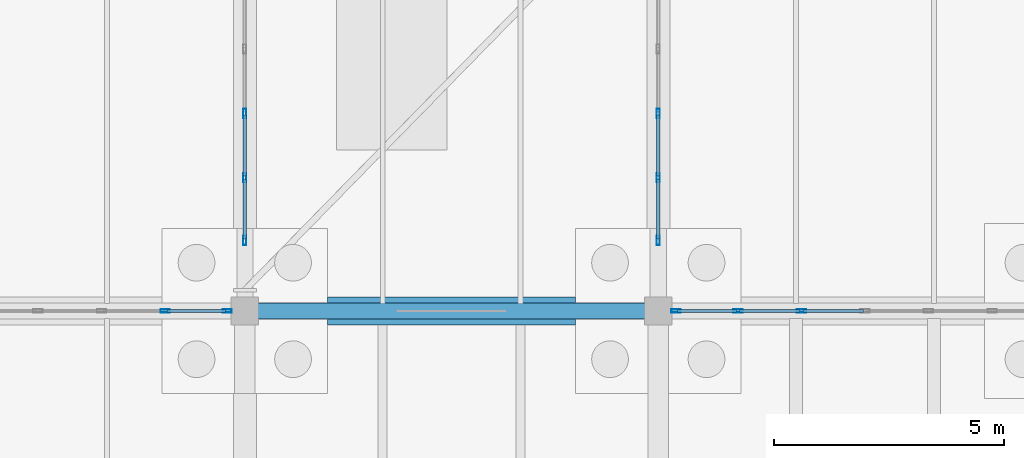
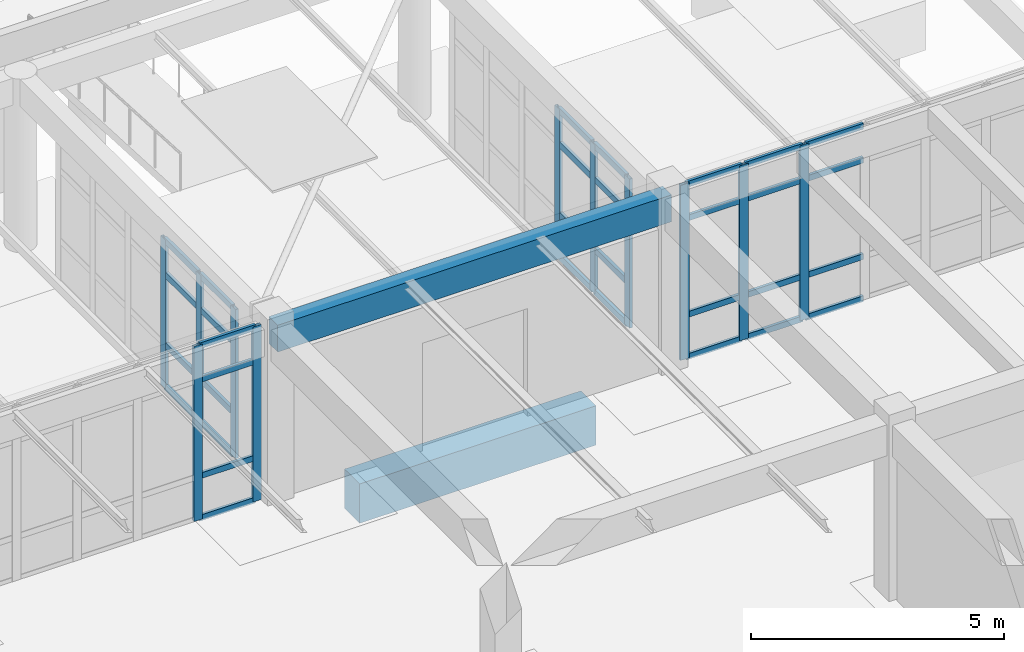
# One storey, part 137 of 186: 43 members, 2 beams, 4 elements without a shape of their own.
"""IFC4 building model written with IfcOpenShell, lengths in metres."""

from ifc_helpers import new_model, si_unit, direction, frame, origin, origin_2d, place, context, subcontext, project, spatial, rectangle, hollow_rectangle, extrude, material, layer, layer_set, material_profile, profile_set, type_object, element, aggregate, save


model = new_model("IFC4")

# Units and contexts
model_context = context("Model", 3, precision=1e-05, world=origin(), true_north=direction((0.0, 1.0)))
body_context = subcontext(model_context, "Body", "Model", "MODEL_VIEW")
ifc_project = project(units=[si_unit("LENGTHUNIT", "METRE"), si_unit("AREAUNIT", "SQUARE_METRE"), si_unit("VOLUMEUNIT", "CUBIC_METRE"), si_unit("PLANEANGLEUNIT", "RADIAN"), si_unit("MASSUNIT", "GRAM", prefix="KILO")], contexts=[model_context])

# Site, building, storey
site_placement = place(None, origin())
site = spatial("IfcSite", under=ifc_project, at=site_placement, CompositionType="ELEMENT")
building_placement = place(site_placement, origin())
building = spatial("IfcBuilding", under=site, at=building_placement, Name="Ornek Quay Market", CompositionType="ELEMENT")
storey_placement = place(building_placement, origin())
storey = spatial("IfcBuildingStorey", under=building, at=storey_placement, Name="L00", CompositionType="ELEMENT", Elevation=0.0)

# Beams
ifc_material_1 = material(Name="Concrete C35/45", Category="concrete")
ifc_material_profile_1 = material_profile(ifc_material_1, rectangle(XDim=0.35009765625, YDim=0.64990234375, at=origin_2d()), Name="RC 350x650", Category="concrete")
ifc_profile_set_1 = profile_set([ifc_material_profile_1], Name="Concrete C35/45")
beam_type_1 = type_object("IfcBeamType", Name="BM-CONC-350x650", PredefinedType="BEAM", material=ifc_profile_set_1)
beam_1_placement = place(storey_placement, frame((162.0, 110.0, 3.864990234375), z_axis=(1.0, 0.0, 0.0), x_axis=(0.0, 1.0, 0.0)))
element("IfcBeam", 1, at=beam_1_placement, inside=storey, type_object=beam_type_1, Name="Primary beam B-CN1-037", PredefinedType="BEAM", context=body_context, shape_type="SweptSolid", body=[
    extrude(rectangle(XDim=0.35009765625, YDim=0.64990234375, at=origin_2d()), origin(), (0.0, 0.0, 1.0), 9.0),
])
ifc_material_profile_2 = material_profile(ifc_material_1, rectangle(XDim=0.60009765625, YDim=0.949951171875, at=origin_2d()), Name="RC 600x950", Category="concrete")
ifc_profile_set_2 = profile_set([ifc_material_profile_2], Name="Concrete C35/45")
beam_type_2 = type_object("IfcBeamType", Name="BM-GB-600x950", PredefinedType="BEAM", material=ifc_profile_set_2)
beam_2_placement = place(storey_placement, frame((163.800048828125, 110.0, -0.675048828125), z_axis=(1.0, 0.0, 0.0), x_axis=(0.0, 1.0, 0.0)))
element("IfcBeam", 2, at=beam_2_placement, inside=storey, type_object=beam_type_2, Name="Ground tie beam GB-354", PredefinedType="BEAM", context=body_context, shape_type="SweptSolid", body=[
    extrude(rectangle(XDim=0.60009765625, YDim=0.949951171875, at=origin_2d()), origin(), (0.0, 0.0, 1.0), 5.39990234375),
])

# Curtain wall, members
ifc_material_2 = material(Name="Anodised bronze aluminium and triple low-e glass", Category="aluminium")
ifc_layer_1 = layer(ifc_material_2, 0.18994140625, Name="Anodised bronze aluminium and triple low-e glass", Category="aluminium")
ifc_layer_set_1 = layer_set([ifc_layer_1], Name="Anodised bronze aluminium and triple low-e glass")
curtain_wall_type_1 = type_object("IfcCurtainWallType", Name="CW-FC-MOD1500", PredefinedType="USERDEFINED", material=ifc_layer_set_1)
curtain_wall_1_placement = place(storey_placement, origin())
curtain_wall_1 = element("IfcCurtainWall", 3, at=curtain_wall_1_placement, inside=storey, type_object=curtain_wall_type_1, Name="Curtain wall CW-079", ObjectType="CURTAIN WALL", PredefinedType="USERDEFINED")
ifc_material_3 = material(Name="Anodised aluminium 6063-T6", Category="aluminium")
ifc_material_profile_3 = material_profile(ifc_material_3, hollow_rectangle(XDim=0.070068359375, YDim=0.199951171875, WallThickness=0.0048828125, at=origin_2d()), Name="CW-MUL-70x200", Category="aluminium")
ifc_profile_set_3 = profile_set([ifc_material_profile_3], Name="Anodised aluminium 6063-T6")
member_type_1 = type_object("IfcMemberType", Name="CW-MUL-70x200", PredefinedType="MULLION", material=ifc_profile_set_3)
member_1_placement = place(storey_placement, frame((160.2666015625, 110.0, 0.0), z_axis=(0.0, 0.0, 1.0), x_axis=(0.0, 1.0, 0.0)))
member_1 = element("IfcMember", 4, at=member_1_placement, type_object=member_type_1, Name="CW-079 mullion 6", PredefinedType="MULLION", context=body_context, shape_type="SweptSolid", body=[
    extrude(hollow_rectangle(XDim=0.070068359375, YDim=0.199951171875, WallThickness=0.0048828125, at=origin_2d()), origin(), (0.0, 0.0, 1.0), 4.22998046875),
])
member_2_placement = place(storey_placement, frame((161.614990234375, 110.0, 0.0), z_axis=(0.0, 0.0, 1.0), x_axis=(0.0, 1.0, 0.0)))
member_2 = element("IfcMember", 5, at=member_2_placement, type_object=member_type_1, Name="CW-079 mullion 7", PredefinedType="MULLION", context=body_context, shape_type="SweptSolid", body=[
    extrude(hollow_rectangle(XDim=0.070068359375, YDim=0.199951171875, WallThickness=0.0048828125, at=origin_2d()), origin(), (0.0, 0.0, 1.0), 4.22998046875),
])

curtain_wall_2_placement = place(storey_placement, origin())
curtain_wall_2 = element("IfcCurtainWall", 6, at=curtain_wall_2_placement, inside=storey, type_object=curtain_wall_type_1, Name="Curtain wall CW-080", ObjectType="CURTAIN WALL", PredefinedType="USERDEFINED")
member_3_placement = place(storey_placement, frame((171.385009765625, 110.0, 0.0), z_axis=(0.0, 0.0, 1.0), x_axis=(0.0, 1.0, 0.0)))
member_3 = element("IfcMember", 7, at=member_3_placement, type_object=member_type_1, Name="CW-080 mullion 1", PredefinedType="MULLION", context=body_context, shape_type="SweptSolid", body=[
    extrude(hollow_rectangle(XDim=0.070068359375, YDim=0.199951171875, WallThickness=0.0048828125, at=origin_2d()), origin(), (0.0, 0.0, 1.0), 4.22998046875),
])
member_4_placement = place(storey_placement, frame((172.7333984375, 110.0, 0.0), z_axis=(0.0, 0.0, 1.0), x_axis=(0.0, 1.0, 0.0)))
member_4 = element("IfcMember", 8, at=member_4_placement, type_object=member_type_1, Name="CW-080 mullion 2", PredefinedType="MULLION", context=body_context, shape_type="SweptSolid", body=[
    extrude(hollow_rectangle(XDim=0.070068359375, YDim=0.199951171875, WallThickness=0.0048828125, at=origin_2d()), origin(), (0.0, 0.0, 1.0), 4.22998046875),
])
member_5_placement = place(storey_placement, frame((174.11669921875, 110.0, 0.0), z_axis=(0.0, 0.0, 1.0), x_axis=(0.0, 1.0, 0.0)))
member_5 = element("IfcMember", 9, at=member_5_placement, type_object=member_type_1, Name="CW-080 mullion 3", PredefinedType="MULLION", context=body_context, shape_type="SweptSolid", body=[
    extrude(hollow_rectangle(XDim=0.070068359375, YDim=0.199951171875, WallThickness=0.0048828125, at=origin_2d()), origin(), (0.0, 0.0, 1.0), 4.22998046875),
])

ifc_layer_2 = layer(ifc_material_2, 0.219970703125, Name="Anodised bronze aluminium and triple low-e glass", Category="aluminium")
ifc_layer_set_2 = layer_set([ifc_layer_2], Name="Anodised bronze aluminium and triple low-e glass")
curtain_wall_type_2 = type_object("IfcCurtainWallType", Name="CW-PORCH-MOD1500", PredefinedType="USERDEFINED", material=ifc_layer_set_2)
curtain_wall_3_placement = place(storey_placement, origin())
curtain_wall_3 = element("IfcCurtainWall", 10, at=curtain_wall_3_placement, inside=storey, type_object=curtain_wall_type_2, Name="Curtain wall CW-157", ObjectType="CURTAIN WALL", PredefinedType="USERDEFINED")
member_6_placement = place(storey_placement, frame((162.0, 111.534912109375, 0.0), z_axis=(0.0, 0.0, 1.0), x_axis=(-1.0, 0.0, 0.0)))
member_6 = element("IfcMember", 11, at=member_6_placement, type_object=member_type_1, Name="CW-157 mullion 1", PredefinedType="MULLION", context=body_context, shape_type="SweptSolid", body=[
    extrude(hollow_rectangle(XDim=0.070068359375, YDim=0.199951171875, WallThickness=0.0048828125, at=origin_2d()), origin(), (0.0, 0.0, 1.0), 3.60009765625),
])
member_7_placement = place(storey_placement, frame((162.0, 112.89990234375, 0.0), z_axis=(0.0, 0.0, 1.0), x_axis=(-1.0, 0.0, 0.0)))
member_7 = element("IfcMember", 12, at=member_7_placement, type_object=member_type_1, Name="CW-157 mullion 2", PredefinedType="MULLION", context=body_context, shape_type="SweptSolid", body=[
    extrude(hollow_rectangle(XDim=0.070068359375, YDim=0.199951171875, WallThickness=0.0048828125, at=origin_2d()), origin(), (0.0, 0.0, 1.0), 3.60009765625),
])
member_8_placement = place(storey_placement, frame((162.0, 114.300048828125, 0.0), z_axis=(0.0, 0.0, 1.0), x_axis=(-1.0, 0.0, 0.0)))
member_8 = element("IfcMember", 13, at=member_8_placement, type_object=member_type_1, Name="CW-157 mullion 3", PredefinedType="MULLION", context=body_context, shape_type="SweptSolid", body=[
    extrude(hollow_rectangle(XDim=0.070068359375, YDim=0.199951171875, WallThickness=0.0048828125, at=origin_2d()), origin(), (0.0, 0.0, 1.0), 3.60009765625),
])

curtain_wall_4_placement = place(storey_placement, origin())
curtain_wall_4 = element("IfcCurtainWall", 14, at=curtain_wall_4_placement, inside=storey, type_object=curtain_wall_type_2, Name="Curtain wall CW-158", ObjectType="CURTAIN WALL", PredefinedType="USERDEFINED")
member_9_placement = place(storey_placement, frame((171.0, 111.534912109375, 0.0), z_axis=(0.0, 0.0, 1.0), x_axis=(-1.0, 0.0, 0.0)))
member_9 = element("IfcMember", 15, at=member_9_placement, type_object=member_type_1, Name="CW-158 mullion 1", PredefinedType="MULLION", context=body_context, shape_type="SweptSolid", body=[
    extrude(hollow_rectangle(XDim=0.070068359375, YDim=0.199951171875, WallThickness=0.0048828125, at=origin_2d()), origin(), (0.0, 0.0, 1.0), 3.60009765625),
])
member_10_placement = place(storey_placement, frame((171.0, 112.89990234375, 0.0), z_axis=(0.0, 0.0, 1.0), x_axis=(-1.0, 0.0, 0.0)))
member_10 = element("IfcMember", 16, at=member_10_placement, type_object=member_type_1, Name="CW-158 mullion 2", PredefinedType="MULLION", context=body_context, shape_type="SweptSolid", body=[
    extrude(hollow_rectangle(XDim=0.070068359375, YDim=0.199951171875, WallThickness=0.0048828125, at=origin_2d()), origin(), (0.0, 0.0, 1.0), 3.60009765625),
])
member_11_placement = place(storey_placement, frame((171.0, 114.300048828125, 0.0), z_axis=(0.0, 0.0, 1.0), x_axis=(-1.0, 0.0, 0.0)))
member_11 = element("IfcMember", 17, at=member_11_placement, type_object=member_type_1, Name="CW-158 mullion 3", PredefinedType="MULLION", context=body_context, shape_type="SweptSolid", body=[
    extrude(hollow_rectangle(XDim=0.070068359375, YDim=0.199951171875, WallThickness=0.0048828125, at=origin_2d()), origin(), (0.0, 0.0, 1.0), 3.60009765625),
])

# Member
ifc_material_profile_4 = material_profile(ifc_material_3, hollow_rectangle(XDim=0.06494140625, YDim=0.139892578125, WallThickness=0.00439453125, at=origin_2d()), Name="CW-TRN-65x140", Category="aluminium")
ifc_profile_set_4 = profile_set([ifc_material_profile_4], Name="Anodised aluminium 6063-T6")
member_type_2 = type_object("IfcMemberType", Name="CW-TRN-65x140", PredefinedType="USERDEFINED", material=ifc_profile_set_4)
member_12_placement = place(storey_placement, frame((160.3017578125, 110.0, 0.032470703125), z_axis=(1.0, 0.0, 0.0), x_axis=(0.0, 1.0, 0.0)))
member_12 = element("IfcMember", 18, at=member_12_placement, type_object=member_type_2, Name="CW-079 transom 6.1", ObjectType="TRANSOM", PredefinedType="USERDEFINED", context=body_context, shape_type="SweptSolid", body=[
    extrude(hollow_rectangle(XDim=0.06494140625, YDim=0.139892578125, WallThickness=0.00439453125, at=origin_2d()), origin(), (0.0, 0.0, 1.0), 1.2783203125),
])

member_13_placement = place(storey_placement, frame((160.3017578125, 110.0, 1.050048828125), z_axis=(1.0, 0.0, 0.0), x_axis=(0.0, 1.0, 0.0)))
member_13 = element("IfcMember", 19, at=member_13_placement, type_object=member_type_2, Name="CW-079 transom 6.2", ObjectType="TRANSOM", PredefinedType="USERDEFINED", context=body_context, shape_type="SweptSolid", body=[
    extrude(hollow_rectangle(XDim=0.06494140625, YDim=0.139892578125, WallThickness=0.00439453125, at=origin_2d()), origin(), (0.0, 0.0, 1.0), 1.2783203125),
])

member_14_placement = place(storey_placement, frame((160.3017578125, 110.0, 3.3798828125), z_axis=(1.0, 0.0, 0.0), x_axis=(0.0, 1.0, 0.0)))
member_14 = element("IfcMember", 20, at=member_14_placement, type_object=member_type_2, Name="CW-079 transom 6.3", ObjectType="TRANSOM", PredefinedType="USERDEFINED", context=body_context, shape_type="SweptSolid", body=[
    extrude(hollow_rectangle(XDim=0.06494140625, YDim=0.139892578125, WallThickness=0.00439453125, at=origin_2d()), origin(), (0.0, 0.0, 1.0), 1.2783203125),
])

member_15_placement = place(storey_placement, frame((160.3017578125, 110.0, 4.197509765625), z_axis=(1.0, 0.0, 0.0), x_axis=(0.0, 1.0, 0.0)))
member_15 = element("IfcMember", 21, at=member_15_placement, type_object=member_type_2, Name="CW-079 transom 6.4", ObjectType="TRANSOM", PredefinedType="USERDEFINED", context=body_context, shape_type="SweptSolid", body=[
    extrude(hollow_rectangle(XDim=0.06494140625, YDim=0.139892578125, WallThickness=0.00439453125, at=origin_2d()), origin(), (0.0, 0.0, 1.0), 1.2783203125),
])

aggregate(curtain_wall_1, [member_1, member_2, member_12, member_13, member_14, member_15])

member_16_placement = place(storey_placement, frame((171.419921875, 110.0, 0.032470703125), z_axis=(1.0, 0.0, 0.0), x_axis=(0.0, 1.0, 0.0)))
member_16 = element("IfcMember", 22, at=member_16_placement, type_object=member_type_2, Name="CW-080 transom 1.1", ObjectType="TRANSOM", PredefinedType="USERDEFINED", context=body_context, shape_type="SweptSolid", body=[
    extrude(hollow_rectangle(XDim=0.06494140625, YDim=0.139892578125, WallThickness=0.00439453125, at=origin_2d()), origin(), (0.0, 0.0, 1.0), 1.2783203125),
])

member_17_placement = place(storey_placement, frame((171.419921875, 110.0, 1.050048828125), z_axis=(1.0, 0.0, 0.0), x_axis=(0.0, 1.0, 0.0)))
member_17 = element("IfcMember", 23, at=member_17_placement, type_object=member_type_2, Name="CW-080 transom 1.2", ObjectType="TRANSOM", PredefinedType="USERDEFINED", context=body_context, shape_type="SweptSolid", body=[
    extrude(hollow_rectangle(XDim=0.06494140625, YDim=0.139892578125, WallThickness=0.00439453125, at=origin_2d()), origin(), (0.0, 0.0, 1.0), 1.2783203125),
])

member_18_placement = place(storey_placement, frame((171.419921875, 110.0, 3.3798828125), z_axis=(1.0, 0.0, 0.0), x_axis=(0.0, 1.0, 0.0)))
member_18 = element("IfcMember", 24, at=member_18_placement, type_object=member_type_2, Name="CW-080 transom 1.3", ObjectType="TRANSOM", PredefinedType="USERDEFINED", context=body_context, shape_type="SweptSolid", body=[
    extrude(hollow_rectangle(XDim=0.06494140625, YDim=0.139892578125, WallThickness=0.00439453125, at=origin_2d()), origin(), (0.0, 0.0, 1.0), 1.2783203125),
])

member_19_placement = place(storey_placement, frame((171.419921875, 110.0, 4.197509765625), z_axis=(1.0, 0.0, 0.0), x_axis=(0.0, 1.0, 0.0)))
member_19 = element("IfcMember", 25, at=member_19_placement, type_object=member_type_2, Name="CW-080 transom 1.4", ObjectType="TRANSOM", PredefinedType="USERDEFINED", context=body_context, shape_type="SweptSolid", body=[
    extrude(hollow_rectangle(XDim=0.06494140625, YDim=0.139892578125, WallThickness=0.00439453125, at=origin_2d()), origin(), (0.0, 0.0, 1.0), 1.2783203125),
])

member_20_placement = place(storey_placement, frame((172.768310546875, 110.0, 0.032470703125), z_axis=(1.0, 0.0, 0.0), x_axis=(0.0, 1.0, 0.0)))
member_20 = element("IfcMember", 26, at=member_20_placement, type_object=member_type_2, Name="CW-080 transom 2.1", ObjectType="TRANSOM", PredefinedType="USERDEFINED", context=body_context, shape_type="SweptSolid", body=[
    extrude(hollow_rectangle(XDim=0.06494140625, YDim=0.139892578125, WallThickness=0.00439453125, at=origin_2d()), origin(), (0.0, 0.0, 1.0), 1.3134765625),
])

member_21_placement = place(storey_placement, frame((172.768310546875, 110.0, 1.050048828125), z_axis=(1.0, 0.0, 0.0), x_axis=(0.0, 1.0, 0.0)))
member_21 = element("IfcMember", 27, at=member_21_placement, type_object=member_type_2, Name="CW-080 transom 2.2", ObjectType="TRANSOM", PredefinedType="USERDEFINED", context=body_context, shape_type="SweptSolid", body=[
    extrude(hollow_rectangle(XDim=0.06494140625, YDim=0.139892578125, WallThickness=0.00439453125, at=origin_2d()), origin(), (0.0, 0.0, 1.0), 1.3134765625),
])

member_22_placement = place(storey_placement, frame((172.768310546875, 110.0, 3.3798828125), z_axis=(1.0, 0.0, 0.0), x_axis=(0.0, 1.0, 0.0)))
member_22 = element("IfcMember", 28, at=member_22_placement, type_object=member_type_2, Name="CW-080 transom 2.3", ObjectType="TRANSOM", PredefinedType="USERDEFINED", context=body_context, shape_type="SweptSolid", body=[
    extrude(hollow_rectangle(XDim=0.06494140625, YDim=0.139892578125, WallThickness=0.00439453125, at=origin_2d()), origin(), (0.0, 0.0, 1.0), 1.3134765625),
])

member_23_placement = place(storey_placement, frame((172.768310546875, 110.0, 4.197509765625), z_axis=(1.0, 0.0, 0.0), x_axis=(0.0, 1.0, 0.0)))
member_23 = element("IfcMember", 29, at=member_23_placement, type_object=member_type_2, Name="CW-080 transom 2.4", ObjectType="TRANSOM", PredefinedType="USERDEFINED", context=body_context, shape_type="SweptSolid", body=[
    extrude(hollow_rectangle(XDim=0.06494140625, YDim=0.139892578125, WallThickness=0.00439453125, at=origin_2d()), origin(), (0.0, 0.0, 1.0), 1.3134765625),
])

member_24_placement = place(storey_placement, frame((174.151611328125, 110.0, 0.032470703125), z_axis=(1.0, 0.0, 0.0), x_axis=(0.0, 1.0, 0.0)))
member_24 = element("IfcMember", 30, at=member_24_placement, type_object=member_type_2, Name="CW-080 transom 3.1", ObjectType="TRANSOM", PredefinedType="USERDEFINED", context=body_context, shape_type="SweptSolid", body=[
    extrude(hollow_rectangle(XDim=0.06494140625, YDim=0.139892578125, WallThickness=0.00439453125, at=origin_2d()), origin(), (0.0, 0.0, 1.0), 1.3134765625),
])

member_25_placement = place(storey_placement, frame((174.151611328125, 110.0, 1.050048828125), z_axis=(1.0, 0.0, 0.0), x_axis=(0.0, 1.0, 0.0)))
member_25 = element("IfcMember", 31, at=member_25_placement, type_object=member_type_2, Name="CW-080 transom 3.2", ObjectType="TRANSOM", PredefinedType="USERDEFINED", context=body_context, shape_type="SweptSolid", body=[
    extrude(hollow_rectangle(XDim=0.06494140625, YDim=0.139892578125, WallThickness=0.00439453125, at=origin_2d()), origin(), (0.0, 0.0, 1.0), 1.3134765625),
])

member_26_placement = place(storey_placement, frame((174.151611328125, 110.0, 3.3798828125), z_axis=(1.0, 0.0, 0.0), x_axis=(0.0, 1.0, 0.0)))
member_26 = element("IfcMember", 32, at=member_26_placement, type_object=member_type_2, Name="CW-080 transom 3.3", ObjectType="TRANSOM", PredefinedType="USERDEFINED", context=body_context, shape_type="SweptSolid", body=[
    extrude(hollow_rectangle(XDim=0.06494140625, YDim=0.139892578125, WallThickness=0.00439453125, at=origin_2d()), origin(), (0.0, 0.0, 1.0), 1.3134765625),
])

member_27_placement = place(storey_placement, frame((174.151611328125, 110.0, 4.197509765625), z_axis=(1.0, 0.0, 0.0), x_axis=(0.0, 1.0, 0.0)))
member_27 = element("IfcMember", 33, at=member_27_placement, type_object=member_type_2, Name="CW-080 transom 3.4", ObjectType="TRANSOM", PredefinedType="USERDEFINED", context=body_context, shape_type="SweptSolid", body=[
    extrude(hollow_rectangle(XDim=0.06494140625, YDim=0.139892578125, WallThickness=0.00439453125, at=origin_2d()), origin(), (0.0, 0.0, 1.0), 1.3134765625),
])

aggregate(curtain_wall_2, [member_3, member_4, member_5, member_16, member_17, member_18, member_19, member_20, member_21, member_22, member_23, member_24, member_25, member_26, member_27])

ifc_material_profile_5 = material_profile(ifc_material_3, hollow_rectangle(XDim=0.070068359375, YDim=0.14990234375, WallThickness=0.0048828125, at=origin_2d()), Name="CW-TRN-70x150", Category="aluminium")
ifc_profile_set_5 = profile_set([ifc_material_profile_5], Name="Anodised aluminium 6063-T6")
member_type_3 = type_object("IfcMemberType", Name="CW-TRN-70x150", PredefinedType="USERDEFINED", material=ifc_profile_set_5)
member_28_placement = place(storey_placement, frame((162.0, 111.570068359375, 0.034912109375), z_axis=(0.0, 1.0, 0.0), x_axis=(-1.0, 0.0, 0.0)))
member_28 = element("IfcMember", 34, at=member_28_placement, type_object=member_type_3, Name="CW-157 transom 1.1", ObjectType="TRANSOM", PredefinedType="USERDEFINED", context=body_context, shape_type="SweptSolid", body=[
    extrude(hollow_rectangle(XDim=0.070068359375, YDim=0.14990234375, WallThickness=0.0048828125, at=origin_2d()), origin(), (0.0, 0.0, 1.0), 1.294921875),
])

member_29_placement = place(storey_placement, frame((162.0, 111.570068359375, 1.050048828125), z_axis=(0.0, 1.0, 0.0), x_axis=(-1.0, 0.0, 0.0)))
member_29 = element("IfcMember", 35, at=member_29_placement, type_object=member_type_3, Name="CW-157 transom 1.2", ObjectType="TRANSOM", PredefinedType="USERDEFINED", context=body_context, shape_type="SweptSolid", body=[
    extrude(hollow_rectangle(XDim=0.070068359375, YDim=0.14990234375, WallThickness=0.0048828125, at=origin_2d()), origin(), (0.0, 0.0, 1.0), 1.294921875),
])

member_30_placement = place(storey_placement, frame((162.0, 111.570068359375, 2.75), z_axis=(0.0, 1.0, 0.0), x_axis=(-1.0, 0.0, 0.0)))
member_30 = element("IfcMember", 36, at=member_30_placement, type_object=member_type_3, Name="CW-157 transom 1.3", ObjectType="TRANSOM", PredefinedType="USERDEFINED", context=body_context, shape_type="SweptSolid", body=[
    extrude(hollow_rectangle(XDim=0.070068359375, YDim=0.14990234375, WallThickness=0.0048828125, at=origin_2d()), origin(), (0.0, 0.0, 1.0), 1.294921875),
])

member_31_placement = place(storey_placement, frame((162.0, 111.570068359375, 3.56494140625), z_axis=(0.0, 1.0, 0.0), x_axis=(-1.0, 0.0, 0.0)))
member_31 = element("IfcMember", 37, at=member_31_placement, type_object=member_type_3, Name="CW-157 transom 1.4", ObjectType="TRANSOM", PredefinedType="USERDEFINED", context=body_context, shape_type="SweptSolid", body=[
    extrude(hollow_rectangle(XDim=0.070068359375, YDim=0.14990234375, WallThickness=0.0048828125, at=origin_2d()), origin(), (0.0, 0.0, 1.0), 1.294921875),
])

member_32_placement = place(storey_placement, frame((162.0, 112.93505859375, 0.034912109375), z_axis=(0.0, 1.0, 0.0), x_axis=(-1.0, 0.0, 0.0)))
member_32 = element("IfcMember", 38, at=member_32_placement, type_object=member_type_3, Name="CW-157 transom 2.1", ObjectType="TRANSOM", PredefinedType="USERDEFINED", context=body_context, shape_type="SweptSolid", body=[
    extrude(hollow_rectangle(XDim=0.070068359375, YDim=0.14990234375, WallThickness=0.0048828125, at=origin_2d()), origin(), (0.0, 0.0, 1.0), 1.329833984375),
])

member_33_placement = place(storey_placement, frame((162.0, 112.93505859375, 1.050048828125), z_axis=(0.0, 1.0, 0.0), x_axis=(-1.0, 0.0, 0.0)))
member_33 = element("IfcMember", 39, at=member_33_placement, type_object=member_type_3, Name="CW-157 transom 2.2", ObjectType="TRANSOM", PredefinedType="USERDEFINED", context=body_context, shape_type="SweptSolid", body=[
    extrude(hollow_rectangle(XDim=0.070068359375, YDim=0.14990234375, WallThickness=0.0048828125, at=origin_2d()), origin(), (0.0, 0.0, 1.0), 1.329833984375),
])

member_34_placement = place(storey_placement, frame((162.0, 112.93505859375, 2.75), z_axis=(0.0, 1.0, 0.0), x_axis=(-1.0, 0.0, 0.0)))
member_34 = element("IfcMember", 40, at=member_34_placement, type_object=member_type_3, Name="CW-157 transom 2.3", ObjectType="TRANSOM", PredefinedType="USERDEFINED", context=body_context, shape_type="SweptSolid", body=[
    extrude(hollow_rectangle(XDim=0.070068359375, YDim=0.14990234375, WallThickness=0.0048828125, at=origin_2d()), origin(), (0.0, 0.0, 1.0), 1.329833984375),
])

member_35_placement = place(storey_placement, frame((162.0, 112.93505859375, 3.56494140625), z_axis=(0.0, 1.0, 0.0), x_axis=(-1.0, 0.0, 0.0)))
member_35 = element("IfcMember", 41, at=member_35_placement, type_object=member_type_3, Name="CW-157 transom 2.4", ObjectType="TRANSOM", PredefinedType="USERDEFINED", context=body_context, shape_type="SweptSolid", body=[
    extrude(hollow_rectangle(XDim=0.070068359375, YDim=0.14990234375, WallThickness=0.0048828125, at=origin_2d()), origin(), (0.0, 0.0, 1.0), 1.329833984375),
])

aggregate(curtain_wall_3, [member_6, member_7, member_8, member_28, member_29, member_30, member_31, member_32, member_33, member_34, member_35])

member_36_placement = place(storey_placement, frame((171.0, 111.570068359375, 0.034912109375), z_axis=(0.0, 1.0, 0.0), x_axis=(-1.0, 0.0, 0.0)))
member_36 = element("IfcMember", 42, at=member_36_placement, type_object=member_type_3, Name="CW-158 transom 1.1", ObjectType="TRANSOM", PredefinedType="USERDEFINED", context=body_context, shape_type="SweptSolid", body=[
    extrude(hollow_rectangle(XDim=0.070068359375, YDim=0.14990234375, WallThickness=0.0048828125, at=origin_2d()), origin(), (0.0, 0.0, 1.0), 1.294921875),
])

member_37_placement = place(storey_placement, frame((171.0, 111.570068359375, 1.050048828125), z_axis=(0.0, 1.0, 0.0), x_axis=(-1.0, 0.0, 0.0)))
member_37 = element("IfcMember", 43, at=member_37_placement, type_object=member_type_3, Name="CW-158 transom 1.2", ObjectType="TRANSOM", PredefinedType="USERDEFINED", context=body_context, shape_type="SweptSolid", body=[
    extrude(hollow_rectangle(XDim=0.070068359375, YDim=0.14990234375, WallThickness=0.0048828125, at=origin_2d()), origin(), (0.0, 0.0, 1.0), 1.294921875),
])

member_38_placement = place(storey_placement, frame((171.0, 111.570068359375, 2.75), z_axis=(0.0, 1.0, 0.0), x_axis=(-1.0, 0.0, 0.0)))
member_38 = element("IfcMember", 44, at=member_38_placement, type_object=member_type_3, Name="CW-158 transom 1.3", ObjectType="TRANSOM", PredefinedType="USERDEFINED", context=body_context, shape_type="SweptSolid", body=[
    extrude(hollow_rectangle(XDim=0.070068359375, YDim=0.14990234375, WallThickness=0.0048828125, at=origin_2d()), origin(), (0.0, 0.0, 1.0), 1.294921875),
])

member_39_placement = place(storey_placement, frame((171.0, 111.570068359375, 3.56494140625), z_axis=(0.0, 1.0, 0.0), x_axis=(-1.0, 0.0, 0.0)))
member_39 = element("IfcMember", 45, at=member_39_placement, type_object=member_type_3, Name="CW-158 transom 1.4", ObjectType="TRANSOM", PredefinedType="USERDEFINED", context=body_context, shape_type="SweptSolid", body=[
    extrude(hollow_rectangle(XDim=0.070068359375, YDim=0.14990234375, WallThickness=0.0048828125, at=origin_2d()), origin(), (0.0, 0.0, 1.0), 1.294921875),
])

member_40_placement = place(storey_placement, frame((171.0, 112.93505859375, 0.034912109375), z_axis=(0.0, 1.0, 0.0), x_axis=(-1.0, 0.0, 0.0)))
member_40 = element("IfcMember", 46, at=member_40_placement, type_object=member_type_3, Name="CW-158 transom 2.1", ObjectType="TRANSOM", PredefinedType="USERDEFINED", context=body_context, shape_type="SweptSolid", body=[
    extrude(hollow_rectangle(XDim=0.070068359375, YDim=0.14990234375, WallThickness=0.0048828125, at=origin_2d()), origin(), (0.0, 0.0, 1.0), 1.329833984375),
])

member_41_placement = place(storey_placement, frame((171.0, 112.93505859375, 1.050048828125), z_axis=(0.0, 1.0, 0.0), x_axis=(-1.0, 0.0, 0.0)))
member_41 = element("IfcMember", 47, at=member_41_placement, type_object=member_type_3, Name="CW-158 transom 2.2", ObjectType="TRANSOM", PredefinedType="USERDEFINED", context=body_context, shape_type="SweptSolid", body=[
    extrude(hollow_rectangle(XDim=0.070068359375, YDim=0.14990234375, WallThickness=0.0048828125, at=origin_2d()), origin(), (0.0, 0.0, 1.0), 1.329833984375),
])

member_42_placement = place(storey_placement, frame((171.0, 112.93505859375, 2.75), z_axis=(0.0, 1.0, 0.0), x_axis=(-1.0, 0.0, 0.0)))
member_42 = element("IfcMember", 48, at=member_42_placement, type_object=member_type_3, Name="CW-158 transom 2.3", ObjectType="TRANSOM", PredefinedType="USERDEFINED", context=body_context, shape_type="SweptSolid", body=[
    extrude(hollow_rectangle(XDim=0.070068359375, YDim=0.14990234375, WallThickness=0.0048828125, at=origin_2d()), origin(), (0.0, 0.0, 1.0), 1.329833984375),
])

member_43_placement = place(storey_placement, frame((171.0, 112.93505859375, 3.56494140625), z_axis=(0.0, 1.0, 0.0), x_axis=(-1.0, 0.0, 0.0)))
member_43 = element("IfcMember", 49, at=member_43_placement, type_object=member_type_3, Name="CW-158 transom 2.4", ObjectType="TRANSOM", PredefinedType="USERDEFINED", context=body_context, shape_type="SweptSolid", body=[
    extrude(hollow_rectangle(XDim=0.070068359375, YDim=0.14990234375, WallThickness=0.0048828125, at=origin_2d()), origin(), (0.0, 0.0, 1.0), 1.329833984375),
])

aggregate(curtain_wall_4, [member_9, member_10, member_11, member_36, member_37, member_38, member_39, member_40, member_41, member_42, member_43])

save(model, "model.ifc")
